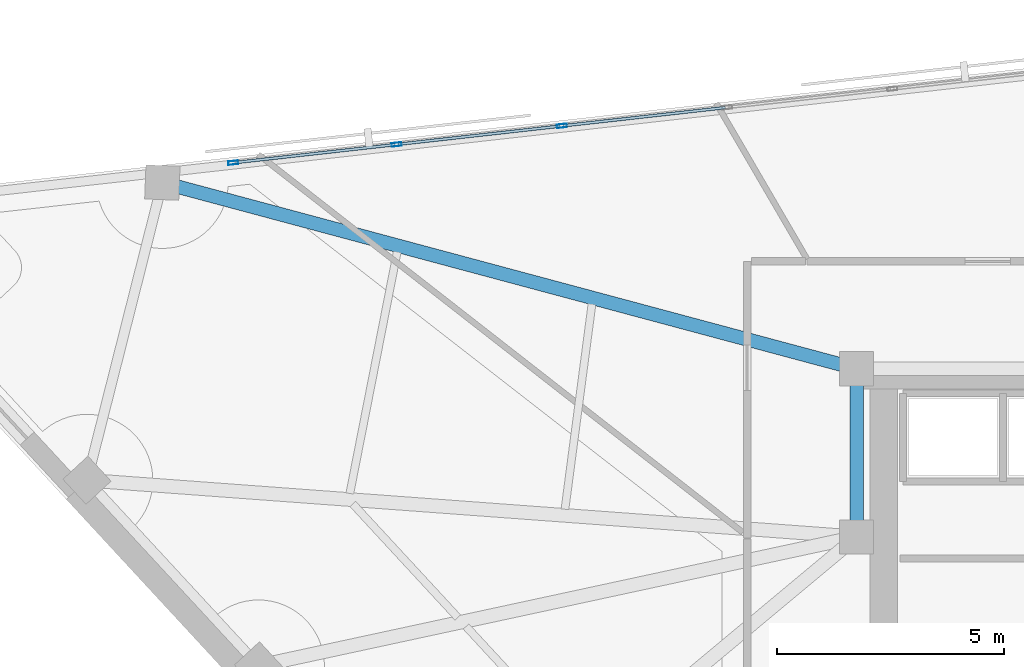
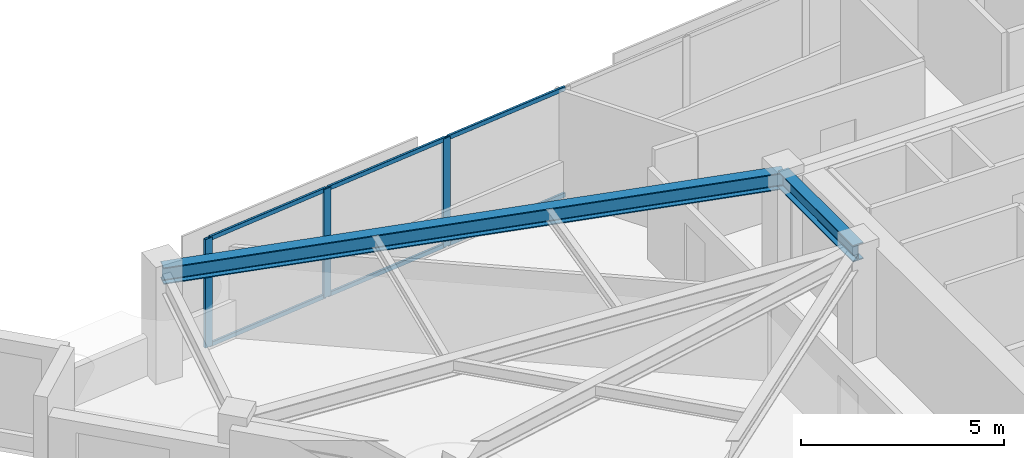
# One storey, part 2 of 13: 9 members, 2 beams, 1 element without a shape of its own.
"""IFC4 building model written with IfcOpenShell, lengths in metres."""

from ifc_helpers import new_model, si_unit, direction, frame, origin, origin_2d, place, context, subcontext, project, spatial, hollow_rectangle, i_section, extrude, material, material_profile, profile_set, type_object, element, aggregate, save


model = new_model("IFC4")

# Units and contexts
model_context = context("Model", 3, precision=1e-05, world=origin(), true_north=direction((0.0, 1.0)))
body_context = subcontext(model_context, "Body", "Model", "MODEL_VIEW")
ifc_project = project(units=[si_unit("LENGTHUNIT", "METRE"), si_unit("AREAUNIT", "SQUARE_METRE"), si_unit("VOLUMEUNIT", "CUBIC_METRE"), si_unit("PLANEANGLEUNIT", "RADIAN"), si_unit("MASSUNIT", "GRAM", prefix="KILO")], contexts=[model_context])

# Site, building, storey
site_placement = place(None, origin())
site = spatial("IfcSite", under=ifc_project, at=site_placement, CompositionType="ELEMENT")
building_placement = place(site_placement, origin())
building = spatial("IfcBuilding", under=site, at=building_placement, Name="Narakoshi Arena Tower", CompositionType="ELEMENT")
storey_placement = place(building_placement, frame((0.0, 0.0, 278.340087890625)))
storey = spatial("IfcBuildingStorey", under=building, at=storey_placement, Name="L76", CompositionType="ELEMENT", Elevation=278.340087890625)

# Beams
ifc_material_1 = material(Name="Structural steel S355J2", Category="steel")
ifc_material_profile_1 = material_profile(ifc_material_1, i_section(OverallWidth=0.300048828125, OverallDepth=0.5, WebThickness=0.014404296875, FlangeThickness=0.028076171875, FilletRadius=0.027099609375, at=origin_2d()), Name="HE500B")
ifc_profile_set_1 = profile_set([ifc_material_profile_1], Name="Structural steel S355J2")
beam_type = type_object("IfcBeamType", Name="BM-PRI-500", PredefinedType="BEAM", material=ifc_profile_set_1)
beam_1_placement = place(storey_placement, frame((72.0, 56.5, 3.010009765625), z_axis=(-0.965877018817, 0.259001128418, 0.0), x_axis=(-0.259001128418, -0.965877018817, 0.0)))
element("IfcBeam", 1, at=beam_1_placement, inside=storey, type_object=beam_type, Name="L76 Radial Primary Floor Girder 08", PredefinedType="BEAM", context=body_context, shape_type="SweptSolid", body=[
    extrude(i_section(OverallWidth=0.300048828125, OverallDepth=0.5, WebThickness=0.014404296875, FlangeThickness=0.028076171875, FilletRadius=0.027099609375, at=origin_2d()), origin(), (0.0, 0.0, 1.0), 15.822998046875),
])
beam_2_placement = place(storey_placement, frame((72.0, 52.800048828125, 3.010009765625), z_axis=(0.0, 1.0, 0.0), x_axis=(-1.0, 0.0, 0.0)))
element("IfcBeam", 2, at=beam_2_placement, inside=storey, type_object=beam_type, Name="L76 Core Perimeter Frame Beam CC4-CC5", PredefinedType="BEAM", context=body_context, shape_type="SweptSolid", body=[
    extrude(i_section(OverallWidth=0.300048828125, OverallDepth=0.5, WebThickness=0.014404296875, FlangeThickness=0.028076171875, FilletRadius=0.027099609375, at=origin_2d()), origin(), (0.0, 0.0, 1.0), 3.699951171875),
])

# Curtain wall, members
ifc_material_2 = material(Name="Anodised bronze aluminium 6063-T6", Category="aluminium")
curtain_wall_type = type_object("IfcCurtainWallType", Name="CW-HYP-HIGH", PredefinedType="NOTDEFINED", material=ifc_material_2)
curtain_wall_placement = place(storey_placement, origin())
curtain_wall = element("IfcCurtainWall", 3, at=curtain_wall_placement, inside=storey, type_object=curtain_wall_type, Name="L76 Folded Hypotenuse Curtain Wall 2-1", PredefinedType="NOTDEFINED")
ifc_material_profile_2 = material_profile(ifc_material_2, hollow_rectangle(XDim=0.080078125, YDim=0.219970703125, WallThickness=0.0048828125, OuterFilletRadius=0.006103515625, at=origin_2d()), Name="MUL220x80x5")
ifc_profile_set_2 = profile_set([ifc_material_profile_2], Name="Anodised bronze aluminium 6063-T6")
member_type_1 = type_object("IfcMemberType", Name="MEM-MUL-220", PredefinedType="MULLION", material=ifc_profile_set_2)
member_1_placement = place(storey_placement, frame((65.51123046875, 61.845458984375, 0.0), z_axis=(0.0, 0.0, 1.0), x_axis=(0.111396496086, -0.9937760415, 0.0)))
member_1 = element("IfcMember", 4, at=member_1_placement, type_object=member_type_1, Name="CW-03 mullion 5", PredefinedType="MULLION", context=body_context, shape_type="SweptSolid", body=[
    extrude(hollow_rectangle(XDim=0.080078125, YDim=0.219970703125, WallThickness=0.0048828125, OuterFilletRadius=0.006103515625, at=origin_2d()), origin(), (0.0, 0.0, 1.0), 3.260009765625),
])
member_2_placement = place(storey_placement, frame((61.873779296875, 61.437744140625, 0.0), z_axis=(0.0, 0.0, 1.0), x_axis=(0.111396496086, -0.9937760415, 0.0)))
member_2 = element("IfcMember", 5, at=member_2_placement, type_object=member_type_1, Name="CW-03 mullion 6", PredefinedType="MULLION", context=body_context, shape_type="SweptSolid", body=[
    extrude(hollow_rectangle(XDim=0.080078125, YDim=0.219970703125, WallThickness=0.0048828125, OuterFilletRadius=0.006103515625, at=origin_2d()), origin(), (0.0, 0.0, 1.0), 3.260009765625),
])
member_3_placement = place(storey_placement, frame((58.27587890625, 61.034423828125, 0.0), z_axis=(0.0, 0.0, 1.0), x_axis=(0.111396496086, -0.9937760415, 0.0)))
member_3 = element("IfcMember", 6, at=member_3_placement, type_object=member_type_1, Name="CW-03 mullion 7", PredefinedType="MULLION", context=body_context, shape_type="SweptSolid", body=[
    extrude(hollow_rectangle(XDim=0.080078125, YDim=0.219970703125, WallThickness=0.0048828125, OuterFilletRadius=0.006103515625, at=origin_2d()), origin(), (0.0, 0.0, 1.0), 3.260009765625),
])
ifc_material_profile_3 = material_profile(ifc_material_2, hollow_rectangle(XDim=0.06494140625, YDim=0.1298828125, WallThickness=0.00390625, OuterFilletRadius=0.0048828125, at=origin_2d()), Name="TRN130x65x4")
ifc_profile_set_3 = profile_set([ifc_material_profile_3], Name="Anodised bronze aluminium 6063-T6")
member_type_2 = type_object("IfcMemberType", Name="MEM-TRN-130", PredefinedType="USERDEFINED", material=ifc_profile_set_3)
member_4_placement = place(storey_placement, frame((69.109130859375, 62.248779296875, 0.032470703125), z_axis=(-0.99377347748, -0.111419367518, 0.0), x_axis=(0.111419367518, -0.99377347748, 0.0)))
member_4 = element("IfcMember", 7, at=member_4_placement, type_object=member_type_2, Name="CW-03 transom 4.1", ObjectType="TRANSOM", PredefinedType="USERDEFINED", context=body_context, shape_type="SweptSolid", body=[
    extrude(hollow_rectangle(XDim=0.06494140625, YDim=0.1298828125, WallThickness=0.00390625, OuterFilletRadius=0.0048828125, at=origin_2d()), origin(), (0.0, 0.0, 1.0), 3.580322265625),
])
member_5_placement = place(storey_placement, frame((69.109130859375, 62.248779296875, 3.227294921875), z_axis=(-0.99377347748, -0.111419367518, 0.0), x_axis=(0.111419367518, -0.99377347748, 0.0)))
member_5 = element("IfcMember", 8, at=member_5_placement, type_object=member_type_2, Name="CW-03 transom 4.2", ObjectType="TRANSOM", PredefinedType="USERDEFINED", context=body_context, shape_type="SweptSolid", body=[
    extrude(hollow_rectangle(XDim=0.06494140625, YDim=0.1298828125, WallThickness=0.00390625, OuterFilletRadius=0.0048828125, at=origin_2d()), origin(), (0.0, 0.0, 1.0), 3.580322265625),
])
member_6_placement = place(storey_placement, frame((65.471435546875, 61.841064453125, 0.032470703125), z_axis=(-0.99377347748, -0.111419367518, 0.0), x_axis=(0.111419367518, -0.99377347748, 0.0)))
member_6 = element("IfcMember", 9, at=member_6_placement, type_object=member_type_2, Name="CW-03 transom 5.1", ObjectType="TRANSOM", PredefinedType="USERDEFINED", context=body_context, shape_type="SweptSolid", body=[
    extrude(hollow_rectangle(XDim=0.06494140625, YDim=0.1298828125, WallThickness=0.00390625, OuterFilletRadius=0.0048828125, at=origin_2d()), origin(), (0.0, 0.0, 1.0), 3.580322265625),
])
member_7_placement = place(storey_placement, frame((65.471435546875, 61.841064453125, 3.227294921875), z_axis=(-0.99377347748, -0.111419367518, 0.0), x_axis=(0.111419367518, -0.99377347748, 0.0)))
member_7 = element("IfcMember", 10, at=member_7_placement, type_object=member_type_2, Name="CW-03 transom 5.2", ObjectType="TRANSOM", PredefinedType="USERDEFINED", context=body_context, shape_type="SweptSolid", body=[
    extrude(hollow_rectangle(XDim=0.06494140625, YDim=0.1298828125, WallThickness=0.00390625, OuterFilletRadius=0.0048828125, at=origin_2d()), origin(), (0.0, 0.0, 1.0), 3.580322265625),
])
member_8_placement = place(storey_placement, frame((61.833984375, 61.433349609375, 0.032470703125), z_axis=(-0.9937713764, -0.11143810591, 0.0), x_axis=(0.11143810591, -0.9937713764, 0.0)))
member_8 = element("IfcMember", 11, at=member_8_placement, type_object=member_type_2, Name="CW-03 transom 6.1", ObjectType="TRANSOM", PredefinedType="USERDEFINED", context=body_context, shape_type="SweptSolid", body=[
    extrude(hollow_rectangle(XDim=0.06494140625, YDim=0.1298828125, WallThickness=0.00390625, OuterFilletRadius=0.0048828125, at=origin_2d()), origin(), (0.0, 0.0, 1.0), 3.540283203125),
])
member_9_placement = place(storey_placement, frame((61.833984375, 61.433349609375, 3.227294921875), z_axis=(-0.9937713764, -0.11143810591, 0.0), x_axis=(0.11143810591, -0.9937713764, 0.0)))
member_9 = element("IfcMember", 12, at=member_9_placement, type_object=member_type_2, Name="CW-03 transom 6.2", ObjectType="TRANSOM", PredefinedType="USERDEFINED", context=body_context, shape_type="SweptSolid", body=[
    extrude(hollow_rectangle(XDim=0.06494140625, YDim=0.1298828125, WallThickness=0.00390625, OuterFilletRadius=0.0048828125, at=origin_2d()), origin(), (0.0, 0.0, 1.0), 3.540283203125),
])
aggregate(curtain_wall, [member_1, member_2, member_3, member_4, member_5, member_6, member_7, member_8, member_9])

save(model, "model.ifc")
